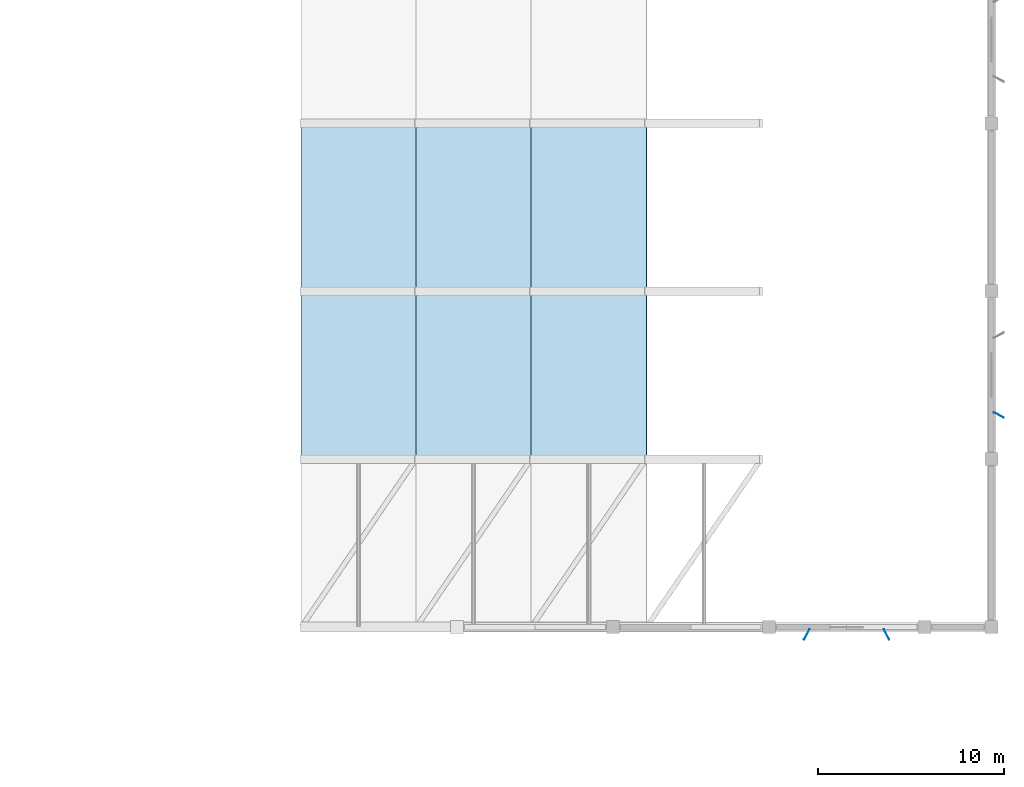
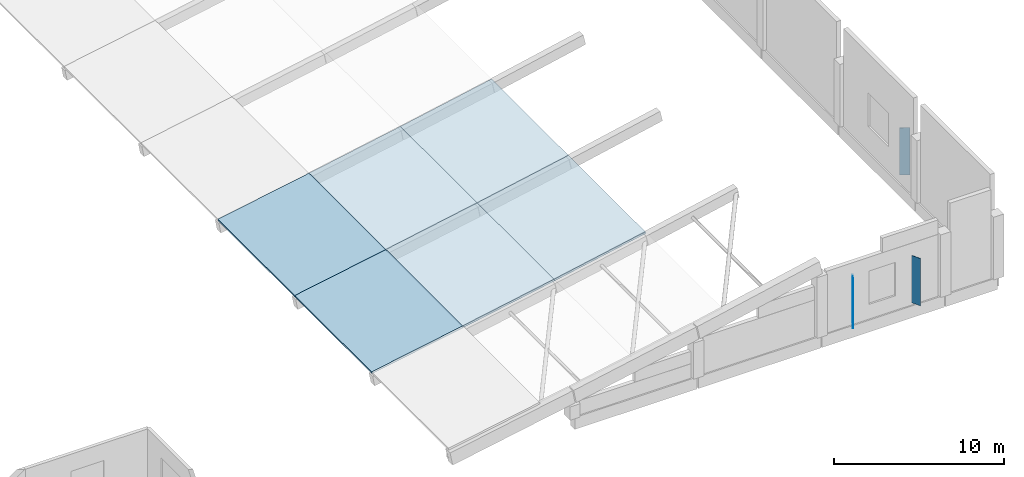
# One storey, part 10 of 34: 6 slabs, 3 plates.
"""IFC4 building model written with IfcOpenShell, lengths in metres."""

from ifc_helpers import new_model, si_unit, direction, frame, origin, origin_2d, place, context, subcontext, project, spatial, polyline, rectangle, outline, extrude, material, layer, layer_set, type_object, element, save


model = new_model("IFC4")

# Units and contexts
model_context = context("Model", 3, precision=1e-05, world=origin(), true_north=direction((0.0, 1.0)))
body_context = subcontext(model_context, "Body", "Model", "MODEL_VIEW")
ifc_project = project(units=[si_unit("LENGTHUNIT", "METRE"), si_unit("AREAUNIT", "SQUARE_METRE"), si_unit("VOLUMEUNIT", "CUBIC_METRE"), si_unit("PLANEANGLEUNIT", "RADIAN"), si_unit("MASSUNIT", "GRAM", prefix="KILO")], contexts=[model_context])

# Site, building, storey
site_placement = place(None, origin())
site = spatial("IfcSite", under=ifc_project, at=site_placement, CompositionType="ELEMENT")
building_placement = place(site_placement, origin())
building = spatial("IfcBuilding", under=site, at=building_placement, Name="Khurvash Pelagic Aquarium", CompositionType="ELEMENT")
storey_placement = place(building_placement, frame((0.0, 0.0, 15.60009765625)))
storey = spatial("IfcBuildingStorey", under=building, at=storey_placement, Name="L03", CompositionType="ELEMENT", Elevation=15.60009765625)

# Slabs
ifc_material_1 = material(Name="Steel-fibre concrete C40/50", Category="concrete")
ifc_layer_1 = layer(ifc_material_1, 0.14990234375)
ifc_layer_set_1 = layer_set([ifc_layer_1], Name="Steel-fibre concrete C40/50")
slab_type = type_object("IfcSlabType", Name="RS-150", PredefinedType="ROOF", material=ifc_layer_set_1)
slab_1_placement = place(storey_placement, frame((126.0, 29.75, 0.599853515625), z_axis=(-0.18086177632, 0.0, 0.983508524552), x_axis=(0.983508524552, 0.0, 0.18086177632)))
element("IfcSlab", 1, at=slab_1_placement, inside=storey, type_object=slab_type, Name="Main Ocean Tank Wave Shell Roof Strip RS-150 Bay 2.1", PredefinedType="ROOF", context=body_context, shape_type="SweptSolid", body=[
    extrude(outline(polyline([(0.0, 0.0), (6.303911981545761, 0.0), (6.303911981545761, 9.050048828125), (0.0, 9.050048828125), (0.0, 0.0)])), origin(), (0.0, 0.0, -1.0), 0.14990234375),
])
slab_2_placement = place(storey_placement, frame((132.199951171875, 29.75, 1.739990234375), z_axis=(-0.186957456135, 0.0, 0.982368011285), x_axis=(0.982368011285, 0.0, 0.186957456135)))
element("IfcSlab", 2, at=slab_2_placement, inside=storey, type_object=slab_type, Name="Main Ocean Tank Wave Shell Roof Strip RS-150 Bay 2.2", PredefinedType="ROOF", context=body_context, shape_type="SweptSolid", body=[
    extrude(outline(polyline([(0.0, 0.0), (6.311230720721767, 0.0), (6.311230720721767, 9.050048828125), (0.0, 9.050048828125), (0.0, 0.0)])), origin(), (0.0, 0.0, -1.0), 0.14990234375),
])
slab_3_placement = place(storey_placement, frame((138.39990234375, 29.75, 2.919921875), z_axis=(-0.19610870981, 0.0, 0.980582160727), x_axis=(0.980582160727, 0.0, 0.19610870981)))
element("IfcSlab", 3, at=slab_3_placement, inside=storey, type_object=slab_type, Name="Main Ocean Tank Wave Shell Roof Strip RS-150 Bay 2.3", PredefinedType="ROOF", context=body_context, shape_type="SweptSolid", body=[
    extrude(outline(polyline([(0.0, 0.0), (6.322973801502925, 0.0), (6.322973801502925, 9.050048828125002), (0.0, 9.050048828125002), (0.0, 0.0)])), origin(), (0.0, 0.0, -1.0), 0.14990234375),
])
slab_4_placement = place(storey_placement, frame((126.0, 38.800048828125, 0.599853515625), z_axis=(-0.18086177632, 0.0, 0.983508524552), x_axis=(0.983508524552, 0.0, 0.18086177632)))
element("IfcSlab", 4, at=slab_4_placement, inside=storey, type_object=slab_type, Name="Main Ocean Tank Wave Shell Roof Strip RS-150 Bay 3.1", PredefinedType="ROOF", context=body_context, shape_type="SweptSolid", body=[
    extrude(outline(polyline([(0.0, 0.0), (6.303911981545761, 0.0), (6.303911981545761, 9.050048828125), (0.0, 9.050048828125), (0.0, 0.0)])), origin(), (0.0, 0.0, -1.0), 0.14990234375),
])
slab_5_placement = place(storey_placement, frame((132.199951171875, 38.800048828125, 1.739990234375), z_axis=(-0.186957456135, 0.0, 0.982368011285), x_axis=(0.982368011285, 0.0, 0.186957456135)))
element("IfcSlab", 5, at=slab_5_placement, inside=storey, type_object=slab_type, Name="Main Ocean Tank Wave Shell Roof Strip RS-150 Bay 3.2", PredefinedType="ROOF", context=body_context, shape_type="SweptSolid", body=[
    extrude(outline(polyline([(0.0, 0.0), (6.311230720721767, 0.0), (6.311230720721767, 9.050048828125), (0.0, 9.050048828125), (0.0, 0.0)])), origin(), (0.0, 0.0, -1.0), 0.14990234375),
])
slab_6_placement = place(storey_placement, frame((138.39990234375, 38.800048828125, 2.919921875), z_axis=(-0.19610870981, 0.0, 0.980582160727), x_axis=(0.980582160727, 0.0, 0.19610870981)))
element("IfcSlab", 6, at=slab_6_placement, inside=storey, type_object=slab_type, Name="Main Ocean Tank Wave Shell Roof Strip RS-150 Bay 3.3", PredefinedType="ROOF", context=body_context, shape_type="SweptSolid", body=[
    extrude(outline(polyline([(0.0, 0.0), (6.322973801502925, 0.0), (6.322973801502925, 9.050048828125002), (0.0, 9.050048828125002), (0.0, 0.0)])), origin(), (0.0, 0.0, -1.0), 0.14990234375),
])

# Plates
ifc_material_2 = material(Name="Anodised aluminium AW-5005", Category="aluminium")
ifc_layer_2 = layer(ifc_material_2, 0.02392578125)
ifc_layer_set_2 = layer_set([ifc_layer_2], Name="Anodised aluminium AW-5005")
plate_type = type_object("IfcPlateType", Name="SP-01", PredefinedType="SHEET", material=ifc_layer_set_2)
for number, where, z_axis, x_axis, name in (
    (7, (163.597900390625, 32.125, 0.14990234375), (0.0, 0.0, 1.0), (0.882947592859, -0.469471562786, 0.0), "L03 Parametric Folded Aluminium Solar Screen Fin SP-01 0153"),
    (8, (153.25, 20.302001953125, 0.14990234375), (0.0, 0.0, 1.0), (-0.469471562786, -0.882947592859, 0.0), "L03 Parametric Folded Aluminium Solar Screen Fin SP-01 0159"),
    (9, (157.550048828125, 20.302001953125, 0.14990234375), (0.0, 0.0, 1.0), (0.469471562786, -0.882947592859, 0.0), "L03 Parametric Folded Aluminium Solar Screen Fin SP-01 0160"),
):
    element("IfcPlate", number, at=place(storey_placement, frame(where, z_axis=z_axis, x_axis=x_axis)), inside=storey, type_object=plate_type, Name=name, PredefinedType="SHEET", context=body_context, shape_type="SweptSolid", body=[
        extrude(rectangle(XDim=0.6201171875, YDim=0.02392578125, at=origin_2d()), origin(), (0.0, 0.0, 1.0), 3.39990234375),
    ])

save(model, "model.ifc")
